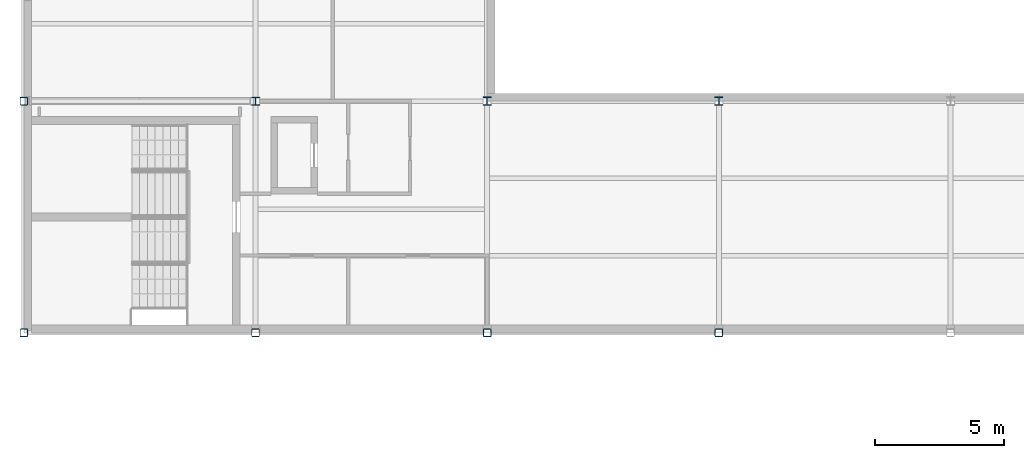
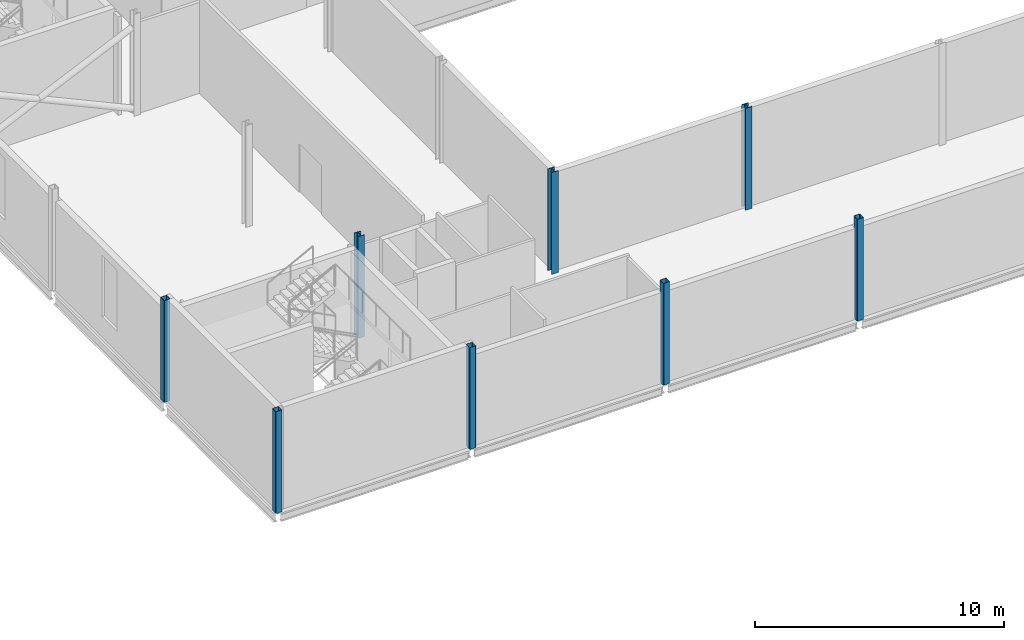
# One storey, part 2 of 112: 8 columns.
"""IFC4 building model written with IfcOpenShell, lengths in metres."""

from ifc_helpers import new_model, si_unit, direction, frame, origin, origin_2d, place, context, subcontext, project, spatial, hollow_rectangle, i_section, extrude, material, material_profile, profile_set, type_object, element, save


model = new_model("IFC4")

# Units and contexts
model_context = context("Model", 3, precision=1e-05, world=origin(), true_north=direction((0.0, 1.0)))
body_context = subcontext(model_context, "Body", "Model", "MODEL_VIEW")
ifc_project = project(units=[si_unit("LENGTHUNIT", "METRE"), si_unit("AREAUNIT", "SQUARE_METRE"), si_unit("VOLUMEUNIT", "CUBIC_METRE"), si_unit("PLANEANGLEUNIT", "RADIAN"), si_unit("MASSUNIT", "GRAM", prefix="KILO")], contexts=[model_context])

# Site, building, storey
site_placement = place(None, origin())
site = spatial("IfcSite", under=ifc_project, at=site_placement, CompositionType="ELEMENT")
building_placement = place(site_placement, origin())
building = spatial("IfcBuilding", under=site, at=building_placement, Name="Shorebreak Coast Museum", CompositionType="ELEMENT")
storey_placement = place(building_placement, frame((0.0, 0.0, 6.0)))
storey = spatial("IfcBuildingStorey", under=building, at=storey_placement, Name="L01", CompositionType="ELEMENT", Elevation=6.0)

# Columns
ifc_material_1 = material(Name="Steel Grade C450L0", Category="steel")
ifc_material_profile_1 = material_profile(ifc_material_1, hollow_rectangle(XDim=0.300048828125, YDim=0.300048828125, WallThickness=0.012451171875, InnerFilletRadius=0.018798828125, OuterFilletRadius=0.03125, at=origin_2d()), Name="300x300x12.5 SHS")
ifc_profile_set_1 = profile_set([ifc_material_profile_1], Name="Steel Grade C450L0")
column_type_1 = type_object("IfcColumnType", Name="Column 300x300x12.5 SHS", PredefinedType="COLUMN", material=ifc_profile_set_1)
for number, where, z_axis, x_axis, name in (
    (1, (0.0, 54.0, 0.0), (0.0, 0.0, 1.0), (1.0, 0.0, 0.0), "Column L01 1G"),
    (2, (9.0, 54.0, 0.0), (0.0, 0.0, 1.0), (1.0, 0.0, 0.0), "Column L01 2G"),
    (3, (18.0, 54.0, 0.0), (0.0, 0.0, 1.0), (1.0, 0.0, 0.0), "Column L01 3G"),
    (4, (27.0, 54.0, 0.0), (0.0, 0.0, 1.0), (1.0, 0.0, 0.0), "Column L01 4G"),
    (5, (0.0, 63.0, 0.0), (0.0, 0.0, 1.0), (1.0, 0.0, 0.0), "Column L01 1H"),
):
    element("IfcColumn", number, at=place(storey_placement, frame(where, z_axis=z_axis, x_axis=x_axis)), inside=storey, type_object=column_type_1, Name=name, PredefinedType="COLUMN", context=body_context, shape_type="SweptSolid", body=[
        extrude(hollow_rectangle(XDim=0.300048828125, YDim=0.300048828125, WallThickness=0.012451171875, InnerFilletRadius=0.018798828125, OuterFilletRadius=0.03125, at=origin_2d()), origin(), (0.0, 0.0, 1.0), 5.0),
    ])
ifc_material_2 = material(Name="Steel Grade 300", Category="steel")
ifc_material_profile_2 = material_profile(ifc_material_2, i_section(OverallWidth=0.30908203125, OverallDepth=0.320556640625, WebThickness=0.013916015625, FlangeThickness=0.021728515625, FilletRadius=0.0166015625, at=origin_2d()), Name="310UC137")
ifc_profile_set_2 = profile_set([ifc_material_profile_2], Name="Steel Grade 300")
column_type_2 = type_object("IfcColumnType", Name="Column 310UC137", PredefinedType="COLUMN", material=ifc_profile_set_2)
column_placement = place(storey_placement, frame((9.0, 63.0, 0.0), z_axis=(0.0, 0.0, 1.0), x_axis=(1.0, 0.0, 0.0)))
element("IfcColumn", 6, at=column_placement, inside=storey, type_object=column_type_2, Name="Column L01 2H", PredefinedType="COLUMN", context=body_context, shape_type="SweptSolid", body=[
    extrude(i_section(OverallWidth=0.30908203125, OverallDepth=0.320556640625, WebThickness=0.013916015625, FlangeThickness=0.021728515625, FilletRadius=0.0166015625, at=origin_2d()), origin(), (0.0, 0.0, 1.0), 5.0),
])
ifc_material_3 = material(Name="Steel Grade 300", Category="steel")
ifc_material_profile_3 = material_profile(ifc_material_3, i_section(OverallWidth=0.31103515625, OverallDepth=0.3271484375, WebThickness=0.015625, FlangeThickness=0.02490234375, FilletRadius=0.0166015625, at=origin_2d()), Name="310UC158")
ifc_profile_set_3 = profile_set([ifc_material_profile_3], Name="Steel Grade 300")
column_type_3 = type_object("IfcColumnType", Name="Column 310UC158", PredefinedType="COLUMN", material=ifc_profile_set_3)
for number, where, z_axis, x_axis, name in (
    (7, (18.0, 63.0, 0.0), (0.0, 0.0, 1.0), (1.0, 0.0, 0.0), "Column L01 3H"),
    (8, (27.0, 63.0, 0.0), (0.0, 0.0, 1.0), (1.0, 0.0, 0.0), "Column L01 4H"),
):
    element("IfcColumn", number, at=place(storey_placement, frame(where, z_axis=z_axis, x_axis=x_axis)), inside=storey, type_object=column_type_3, Name=name, PredefinedType="COLUMN", context=body_context, shape_type="SweptSolid", body=[
        extrude(i_section(OverallWidth=0.31103515625, OverallDepth=0.3271484375, WebThickness=0.015625, FlangeThickness=0.02490234375, FilletRadius=0.0166015625, at=origin_2d()), origin(), (0.0, 0.0, 1.0), 5.0),
    ])

save(model, "model.ifc")
